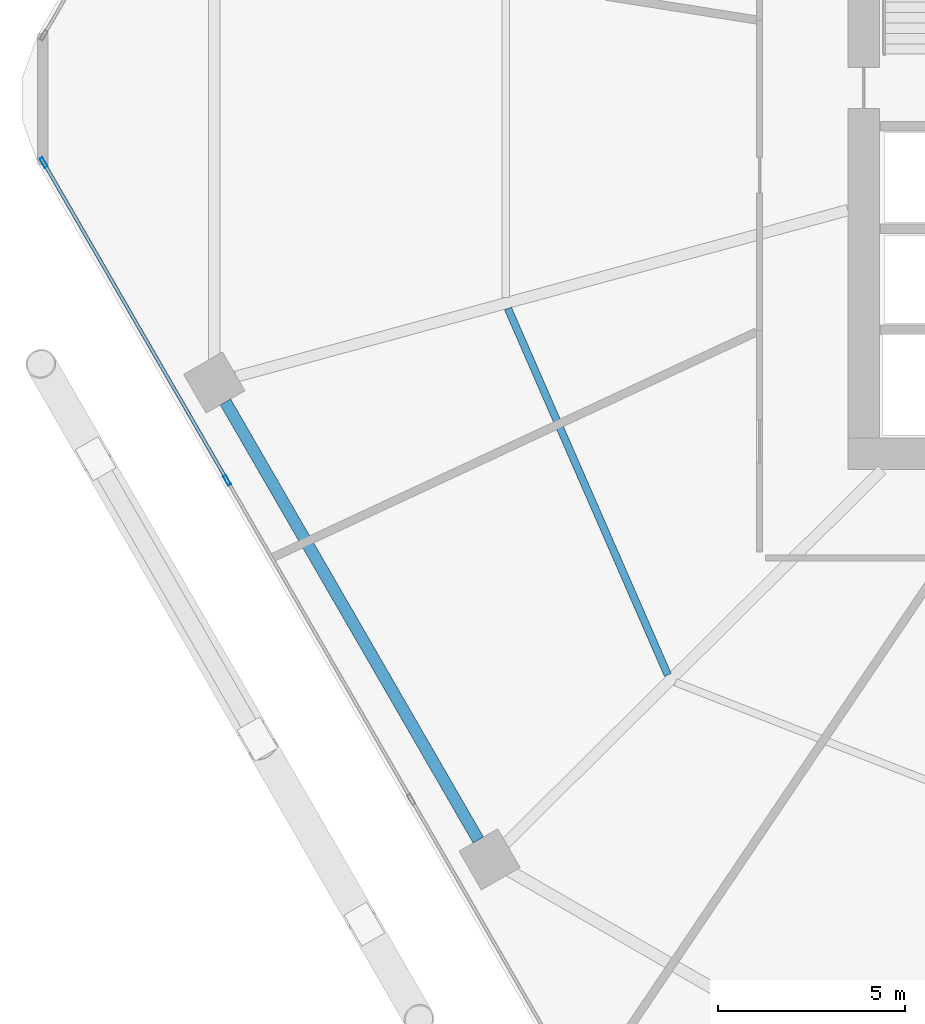
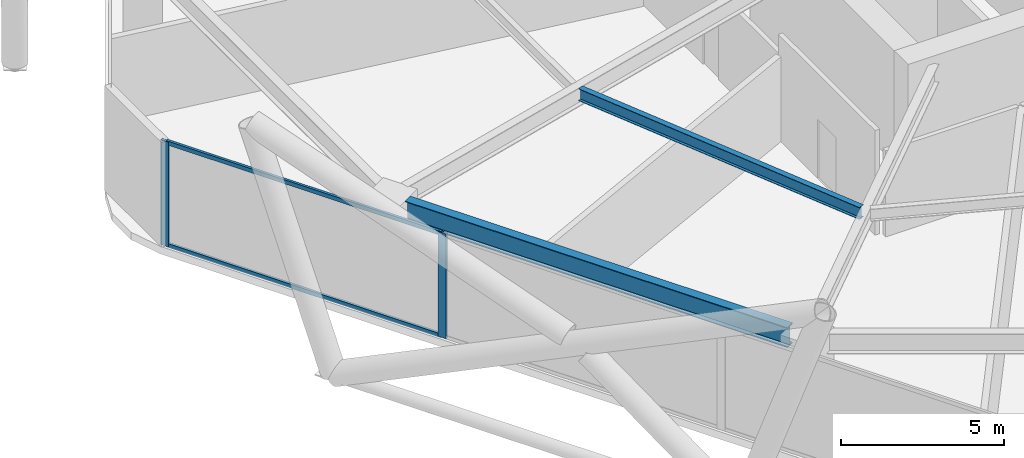
# One storey, part 5 of 28: 4 members, 2 beams, 1 element without a shape of its own.
"""IFC4 building model written with IfcOpenShell, lengths in metres."""

import ifcopenshell
import ifcopenshell.guid

model = None  # the IFC model being written
_history = None  # IfcOwnerHistory: only IFC2X3 demands one
_inside = {}  # id of a spatial element -> (the spatial element, [elements in it])
_under = {}  # id of a project, library or spatial element -> (it, [spatial elements below it])
_declared = {}  # id of a project -> (the project, [libraries it declares])
_typed = {}  # id of a type object -> (the type object, [elements of that type])
_made_of = {}  # id of a material, layer set ... -> (it, [elements and type objects made of it])


def new_model(schema):
    """Start an empty IFC model of exactly this schema.

    Asked for "IFC4X3", IfcOpenShell would pick the latest addendum, in which some entities
    have other attributes; the version numbers below select the first issue.
    IFC2X3 requires an IfcOwnerHistory on every rooted entity: one is made here for all.
    """
    global model, _history
    if schema == "IFC4X3":
        model = ifcopenshell.file(schema_version=(4, 3, 0, 0))
    else:
        model = ifcopenshell.file(schema=schema)
    _inside.clear()
    _under.clear()
    _declared.clear()
    _typed.clear()
    _made_of.clear()
    _history = None
    if model.schema == "IFC2X3":
        org = make("IfcOrganization", Name="unknown")
        user = make(
            "IfcPersonAndOrganization",
            ThePerson=make("IfcPerson", FamilyName="unknown"),
            TheOrganization=org,
        )
        app = make(
            "IfcApplication",
            ApplicationDeveloper=org,
            Version="unknown",
            ApplicationFullName="unknown",
            ApplicationIdentifier="unknown",
        )
        _history = make(
            "IfcOwnerHistory",
            OwningUser=user,
            OwningApplication=app,
            ChangeAction="ADDED",
            CreationDate=0,
        )
    return model


def make(cls, **values):
    """One entity of the class cls with the attributes given. An attribute that is None is left unset."""
    return model.create_entity(
        cls, **{name: value for name, value in values.items() if value is not None}
    )


def rooted(cls, **values):
    """An entity with a GlobalId (a new one), such as an element, a storey or a relation."""
    return make(cls, GlobalId=ifcopenshell.guid.new(), OwnerHistory=_history, **values)


def si_unit(unit_type, name, prefix=None):
    """IfcSIUnit, for example si_unit("LENGTHUNIT", "METRE", prefix="MILLI")."""
    return make("IfcSIUnit", UnitType=unit_type, Prefix=prefix, Name=name)


def assignment(units):
    """IfcUnitAssignment: the units of a project."""
    return None if units is None else make("IfcUnitAssignment", Units=units)


def point(xyz):
    """IfcCartesianPoint."""
    return None if xyz is None else make("IfcCartesianPoint", Coordinates=xyz)


def direction(xyz):
    """IfcDirection."""
    return None if xyz is None else make("IfcDirection", DirectionRatios=xyz)


def frame(location, z_axis=None, x_axis=None):
    """IfcAxis2Placement3D, a coordinate frame: its origin and axes. An axis left out is left unset."""
    return make(
        "IfcAxis2Placement3D",
        Location=point(location),
        Axis=direction(z_axis),
        RefDirection=direction(x_axis),
    )


def frame_2d(location, x_axis=None):
    """IfcAxis2Placement2D, a coordinate frame in the plane: its origin and x axis."""
    return make(
        "IfcAxis2Placement2D", Location=point(location), RefDirection=direction(x_axis)
    )


def origin():
    """The frame at (0, 0, 0) with its axes left unset."""
    return frame((0.0, 0.0, 0.0))


def origin_2d():
    """The frame at (0, 0) in the plane with its x axis left unset."""
    return frame_2d((0.0, 0.0))


def place(relative_to, where):
    """IfcLocalPlacement: puts the frame where relative to a parent placement (None: the world)."""
    return make(
        "IfcLocalPlacement", PlacementRelTo=relative_to, RelativePlacement=where
    )


def context(
    kind, dimensions, precision=None, world=None, true_north=None, identifier=None
):
    """IfcGeometricRepresentationContext, for example the 3D "Model" context."""
    return make(
        "IfcGeometricRepresentationContext",
        ContextIdentifier=identifier,
        ContextType=kind,
        CoordinateSpaceDimension=dimensions,
        Precision=precision,
        WorldCoordinateSystem=world,
        TrueNorth=true_north,
    )


def subcontext(parent, identifier, kind, view, scale=None):
    """IfcGeometricRepresentationSubContext, for example "Body" below "Model"."""
    return make(
        "IfcGeometricRepresentationSubContext",
        ContextIdentifier=identifier,
        ContextType=kind,
        ParentContext=parent,
        TargetScale=scale,
        TargetView=view,
    )


def project(units=None, contexts=None):
    """IfcProject with its units and contexts."""
    return rooted(
        "IfcProject",
        Name="project",
        RepresentationContexts=contexts,
        UnitsInContext=assignment(units),
    )


def spatial(cls, under=None, at=None, **own):
    """A site, building, storey or space (cls), placed at a placement, below another one or the project."""
    s = rooted(cls, ObjectPlacement=at, **own)
    if under is not None:
        _under.setdefault(under.id(), (under, []))[1].append(s)
    return s


def profile(cls, at=None, kind="AREA", **sizes):
    """A parametric profile (cls). Its sizes go by their IFC names, for example OverallWidth=200.0."""
    return make(cls, ProfileType=kind, Position=at, **sizes)


def hollow_rectangle(**sizes):
    """IfcRectangleHollowProfileDef."""
    return profile("IfcRectangleHollowProfileDef", **sizes)


def i_section(**sizes):
    """IfcIShapeProfileDef."""
    return profile("IfcIShapeProfileDef", **sizes)


def extrude(swept, where, along, depth):
    """IfcExtrudedAreaSolid: the profile swept, set in the frame where, extruded along a direction by depth."""
    return make(
        "IfcExtrudedAreaSolid",
        SweptArea=swept,
        Position=where,
        ExtrudedDirection=direction(along),
        Depth=depth,
    )


def shape(context_of_items, identifier, shape_type, items):
    """IfcShapeRepresentation: the items that make up one representation, for example the "Body"."""
    return make(
        "IfcShapeRepresentation",
        ContextOfItems=context_of_items,
        RepresentationIdentifier=identifier,
        RepresentationType=shape_type,
        Items=items,
    )


def material(Name=None, Category=None):
    """IfcMaterial."""
    return make("IfcMaterial", Name=Name, Category=Category)


def material_profile(
    of_material, cross_section, Name=None, Category=None, Priority=None
):
    """IfcMaterialProfile: a cross section and its material."""
    return make(
        "IfcMaterialProfile",
        Name=Name,
        Material=of_material,
        Profile=cross_section,
        Priority=Priority,
        Category=Category,
    )


def profile_set(profiles, Name=None, composite=None):
    """IfcMaterialProfileSet."""
    return make(
        "IfcMaterialProfileSet",
        Name=Name,
        MaterialProfiles=profiles,
        CompositeProfile=composite,
    )


def made_of(thing, what):
    """Note that an element or type object is made of a material, layer set ...; save() writes the relation."""
    if what is not None:
        _made_of.setdefault(what.id(), (what, []))[1].append(thing)
    return thing


def type_object(cls, material=None, **own):
    """A type object (cls), such as IfcWallType, which elements share."""
    return made_of(rooted(cls, **own), material)


def element(
    cls,
    number,
    at=None,
    inside=None,
    cuts=None,
    type_object=None,
    material=None,
    context=None,
    identifier="Body",
    shape_type=None,
    held_by="IfcProductDefinitionShape",
    body=None,
    shapes=None,
    **own,
):
    """One element of the class cls, such as IfcWall. Its Tag is "e" and its number.

    at: its placement. inside: the storey or other place that contains it. cuts: it is an
    opening in that element (IfcRelVoidsElement). A single representation is given by context,
    identifier, shape_type and body (its items); several are given by shapes. held_by: the class
    of the entity that holds the representations. save() writes the other relations.
    """
    e = rooted(cls, Tag="e%d" % number, ObjectPlacement=at, **own)
    if body is not None:
        shapes = [shape(context, identifier, shape_type, body)]
    if shapes is not None:
        e.Representation = make(held_by, Representations=shapes)
    if inside is not None:
        _inside.setdefault(inside.id(), (inside, []))[1].append(e)
    if cuts is not None:
        rooted(
            "IfcRelVoidsElement", RelatingBuildingElement=cuts, RelatedOpeningElement=e
        )
    if type_object is not None:
        _typed.setdefault(type_object.id(), (type_object, []))[1].append(e)
    return made_of(e, material)


def aggregate(whole, parts):
    """IfcRelAggregates: a whole, such as a stair, and the parts it consists of."""
    return rooted("IfcRelAggregates", RelatingObject=whole, RelatedObjects=parts)


def save(model, path):
    """Write the relations noted so far, then the file.

    IfcRelAggregates (storeys below a building ...), IfcRelContainedInSpatialStructure (elements
    in a storey), IfcRelDefinesByType, IfcRelAssociatesMaterial and IfcRelDeclares: one each for
    every whole, place, type object, material and project.
    """
    for whole, parts in _under.values():
        aggregate(whole, parts)
    for where, things in _inside.values():
        rooted(
            "IfcRelContainedInSpatialStructure",
            RelatedElements=things,
            RelatingStructure=where,
        )
    for kind, things in _typed.values():
        rooted("IfcRelDefinesByType", RelatedObjects=things, RelatingType=kind)
    for what, things in _made_of.values():
        rooted("IfcRelAssociatesMaterial", RelatedObjects=things, RelatingMaterial=what)
    for by, libraries in _declared.values():
        rooted("IfcRelDeclares", RelatingContext=by, RelatedDefinitions=libraries)
    model.write(path)


model = new_model("IFC4")

# Units and contexts
model_context = context("Model", 3, precision=1e-05, world=origin(), true_north=direction((0.0, 1.0)))
body_context = subcontext(model_context, "Body", "Model", "MODEL_VIEW")
ifc_project = project(units=[si_unit("LENGTHUNIT", "METRE"), si_unit("AREAUNIT", "SQUARE_METRE"), si_unit("VOLUMEUNIT", "CUBIC_METRE"), si_unit("PLANEANGLEUNIT", "RADIAN"), si_unit("MASSUNIT", "GRAM", prefix="KILO")], contexts=[model_context])

# Site, building, storey
site_placement = place(None, origin())
site = spatial("IfcSite", under=ifc_project, at=site_placement, CompositionType="ELEMENT")
building_placement = place(site_placement, origin())
building = spatial("IfcBuilding", under=site, at=building_placement, Name="Zuhravey Tower", CompositionType="ELEMENT")
storey_placement = place(building_placement, frame((0.0, 0.0, 49.800048828125)))
storey = spatial("IfcBuildingStorey", under=building, at=storey_placement, Name="L12", CompositionType="ELEMENT", Elevation=49.800048828125)

# Curtain wall, members
ifc_material_1 = material(Name="Thermally broken anodised aluminium", Category="aluminium")
curtain_wall_type = type_object("IfcCurtainWallType", Name="School Low-E Unitised Curtain Wall CW1", PredefinedType="NOTDEFINED", material=ifc_material_1)
curtain_wall_placement = place(storey_placement, origin())
curtain_wall = element("IfcCurtainWall", 1, at=curtain_wall_placement, inside=storey, type_object=curtain_wall_type, Name="L12 CW1 CW-L12-F4-1", PredefinedType="NOTDEFINED")
ifc_material_2 = material(Name="Anodised aluminium", Category="aluminium")
ifc_material_profile_1 = material_profile(ifc_material_2, hollow_rectangle(XDim=0.090087890625, YDim=0.284912109375, WallThickness=0.0048828125, at=origin_2d()), Name="ALU-RHS-90x285x5")
ifc_profile_set_1 = profile_set([ifc_material_profile_1], Name="Anodised aluminium")
member_type_1 = type_object("IfcMemberType", Name="Curtain-Wall Mullion 90x180", PredefinedType="MULLION", material=ifc_profile_set_1)
member_1_placement = place(storey_placement, frame((8.45458984375, 21.79296875, 0.0), z_axis=(0.0, 0.0, 1.0), x_axis=(-0.86602552265, -0.499999794119, 0.0)))
member_1 = element("IfcMember", 2, at=member_1_placement, type_object=member_type_1, Name="CW1 mullion 3", PredefinedType="MULLION", context=body_context, shape_type="SweptSolid", body=[
    extrude(hollow_rectangle(XDim=0.090087890625, YDim=0.284912109375, WallThickness=0.0048828125, at=origin_2d()), origin(), (0.0, 0.0, 1.0), 3.919921875),
])
member_2_placement = place(storey_placement, frame((3.5439453125, 30.298583984375, 0.0), z_axis=(0.0, 0.0, 1.0), x_axis=(-0.86602552265, -0.499999794119, 0.0)))
member_2 = element("IfcMember", 3, at=member_2_placement, type_object=member_type_1, Name="CW1 mullion 4", PredefinedType="MULLION", context=body_context, shape_type="SweptSolid", body=[
    extrude(hollow_rectangle(XDim=0.090087890625, YDim=0.284912109375, WallThickness=0.0048828125, at=origin_2d()), origin(), (0.0, 0.0, 1.0), 3.919921875),
])
ifc_material_profile_2 = material_profile(ifc_material_2, hollow_rectangle(XDim=0.090087890625, YDim=0.14990234375, WallThickness=0.0048828125, at=origin_2d()), Name="ALU-RHS-90x150x5")
ifc_profile_set_2 = profile_set([ifc_material_profile_2], Name="Anodised aluminium")
member_type_2 = type_object("IfcMemberType", Name="Curtain-Wall Transom 90x150", PredefinedType="USERDEFINED", material=ifc_profile_set_2)
member_3_placement = place(storey_placement, frame((8.43212890625, 21.83203125, 0.044921875), z_axis=(-0.500008393077, 0.866020557985, 0.0), x_axis=(-0.866020557985, -0.500008393077, 0.0)))
member_3 = element("IfcMember", 4, at=member_3_placement, type_object=member_type_2, Name="CW1 transom 3.1", ObjectType="TRANSOM", PredefinedType="USERDEFINED", context=body_context, shape_type="SweptSolid", body=[
    extrude(hollow_rectangle(XDim=0.090087890625, YDim=0.14990234375, WallThickness=0.0048828125, at=origin_2d()), origin(), (0.0, 0.0, 1.0), 9.731201171875),
])
member_4_placement = place(storey_placement, frame((8.43212890625, 21.83203125, 3.875), z_axis=(-0.500008393077, 0.866020557985, 0.0), x_axis=(-0.866020557985, -0.500008393077, 0.0)))
member_4 = element("IfcMember", 5, at=member_4_placement, type_object=member_type_2, Name="CW1 transom 3.2", ObjectType="TRANSOM", PredefinedType="USERDEFINED", context=body_context, shape_type="SweptSolid", body=[
    extrude(hollow_rectangle(XDim=0.090087890625, YDim=0.14990234375, WallThickness=0.0048828125, at=origin_2d()), origin(), (0.0, 0.0, 1.0), 9.731201171875),
])
aggregate(curtain_wall, [member_1, member_2, member_3, member_4])

# Beams
ifc_material_3 = material(Name="Steel SM355", Category="steel")
ifc_material_profile_3 = material_profile(ifc_material_3, i_section(OverallWidth=0.320068359375, OverallDepth=0.75, WebThickness=0.013916015625, FlangeThickness=0.02490234375, at=origin_2d()), Name="H-750x320x14x25")
ifc_profile_set_3 = profile_set([ifc_material_profile_3], Name="Steel SM355")
beam_type_1 = type_object("IfcBeamType", Name="Perimeter Ring Beam H750x320", PredefinedType="BEAM", material=ifc_profile_set_3)
beam_1_placement = place(storey_placement, frame((8.412353515625, 23.88623046875, 3.544921875), z_axis=(0.499999877243, -0.866025474658, 0.0), x_axis=(0.866025474658, 0.499999877243, 0.0)))
element("IfcBeam", 6, at=beam_1_placement, inside=storey, type_object=beam_type_1, Name="L12 PB1 BM-L12-PB-07", PredefinedType="BEAM", context=body_context, shape_type="SweptSolid", body=[
    extrude(i_section(OverallWidth=0.320068359375, OverallDepth=0.75, WebThickness=0.013916015625, FlangeThickness=0.02490234375, at=origin_2d()), origin(), (0.0, 0.0, 1.0), 13.5341796875),
])
ifc_material_profile_4 = material_profile(ifc_material_3, i_section(OverallWidth=0.199951171875, OverallDepth=0.449951171875, WebThickness=0.009033203125, FlangeThickness=0.013916015625, at=origin_2d()), Name="H-450x200x9x14")
ifc_profile_set_4 = profile_set([ifc_material_profile_4], Name="Steel SM355")
beam_type_2 = type_object("IfcBeamType", Name="Secondary Floor Joist H450x200", PredefinedType="JOIST", material=ifc_profile_set_4)
beam_2_placement = place(storey_placement, frame((15.974609375, 26.39111328125, 3.695068359375), z_axis=(0.399923551578, -0.916548500022, 0.0), x_axis=(0.916548500022, 0.399923551578, 0.0)))
element("IfcBeam", 7, at=beam_2_placement, inside=storey, type_object=beam_type_2, Name="L12 SJ1 BM-L12-SJ-07-1", PredefinedType="JOIST", context=body_context, shape_type="SweptSolid", body=[
    extrude(i_section(OverallWidth=0.199951171875, OverallDepth=0.449951171875, WebThickness=0.009033203125, FlangeThickness=0.013916015625, at=origin_2d()), origin(), (0.0, 0.0, 1.0), 10.70263671875),
])

save(model, "model.ifc")
